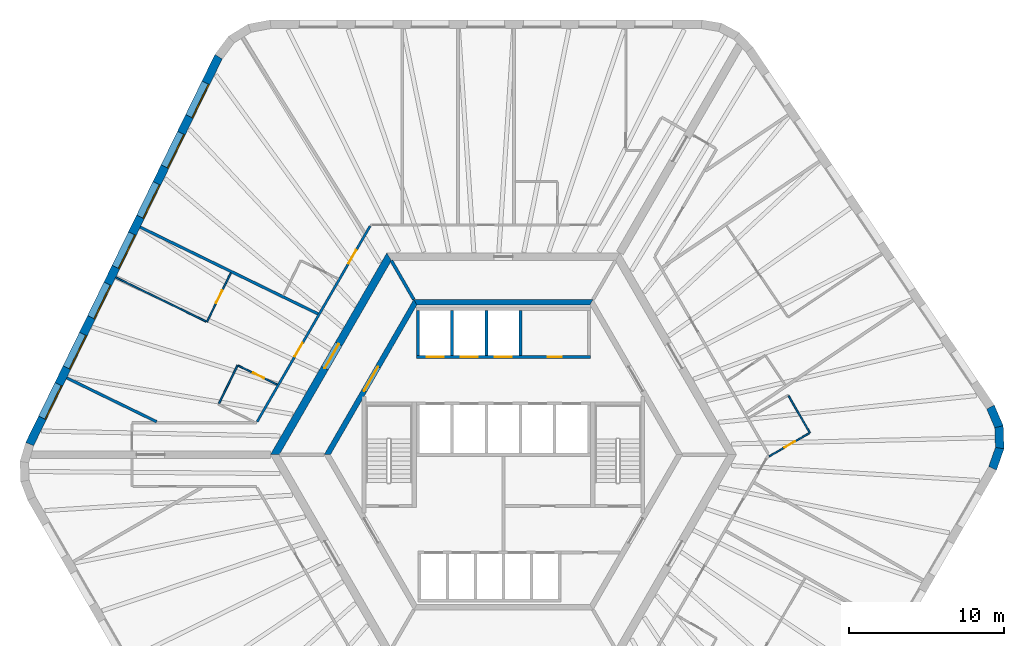
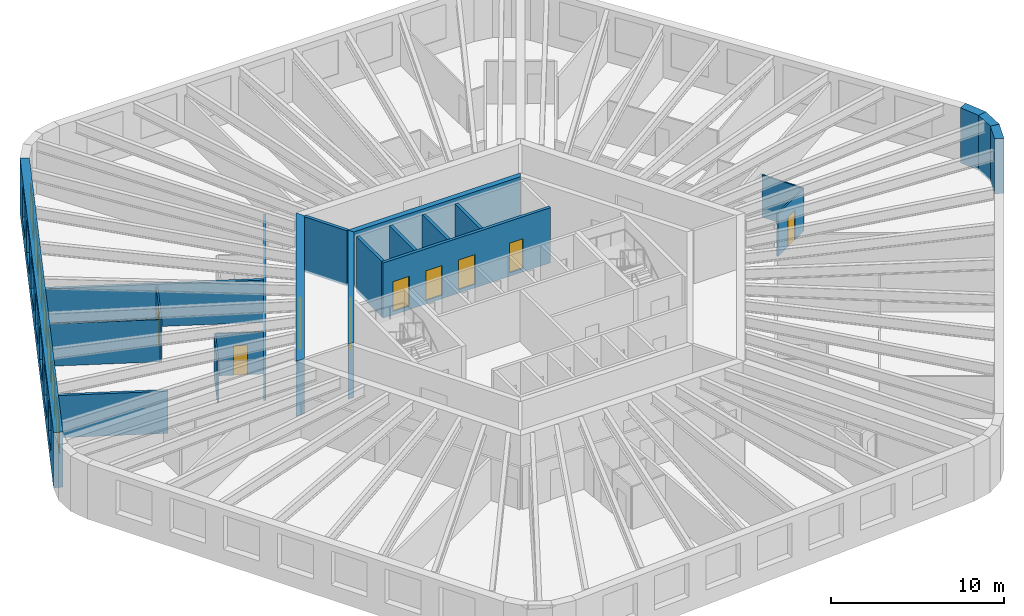
# One storey, part 6 of 9: 22 walls, 11 doors, 7 windows, 18 openings.
"""IFC4 building model written with IfcOpenShell, lengths in metres."""

from ifc_helpers import new_model, si_unit, direction, frame, frame_2d, origin, place, context, subcontext, project, spatial, polyline, rectangle, outline, extrude, material, layer, layer_set, type_object, element, fill, save


model = new_model("IFC4")

# Units and contexts
model_context = context("Model", 3, precision=1e-05, world=origin(), true_north=direction((0.0, 1.0)))
body_context = subcontext(model_context, "Body", "Model", "MODEL_VIEW")
ifc_project = project(units=[si_unit("LENGTHUNIT", "METRE"), si_unit("AREAUNIT", "SQUARE_METRE"), si_unit("VOLUMEUNIT", "CUBIC_METRE"), si_unit("PLANEANGLEUNIT", "RADIAN"), si_unit("MASSUNIT", "GRAM", prefix="KILO")], contexts=[model_context])

# Site, building, storey
site_placement = place(None, origin())
site = spatial("IfcSite", under=ifc_project, at=site_placement, CompositionType="ELEMENT")
building_placement = place(site_placement, origin())
building = spatial("IfcBuilding", under=site, at=building_placement, Name="Tarnside Tower", CompositionType="ELEMENT")
storey_placement = place(building_placement, frame((0.0, 0.0, 219.0)))
storey = spatial("IfcBuildingStorey", under=building, at=storey_placement, Name="L52", CompositionType="ELEMENT", Elevation=219.0)

# Wall
ifc_material_1 = material(Name="Gypsum board partition on steel studs", Category="steel")
ifc_layer_1 = layer(ifc_material_1, 0.10009765625)
ifc_layer_set_1 = layer_set([ifc_layer_1], Name="Bathroom wall 100")
wall_type_1 = type_object("IfcWallType", Name="Bathroom wall 100", PredefinedType="PARTITIONING", material=ifc_layer_set_1)
wall_1_placement = place(storey_placement, frame((-18.32763671875, 3.28662109375, 0.0), z_axis=(0.0, 0.0, 1.0), x_axis=(0.438385151252, 0.898787215731, 0.0)))
element("IfcWall", 1, at=wall_1_placement, inside=storey, type_object=wall_type_1, Name="Bathroom wall 17061", PredefinedType="PARTITIONING", context=body_context, shape_type="SweptSolid", body=[
    extrude(rectangle(XDim=2.75, YDim=0.10009765625, at=frame_2d((1.375, 0.0))), origin(), (0.0, 0.0, 1.0), 2.98779296875),
])

# Wall, opening, door
wall_2_placement = place(storey_placement, frame((-17.0771484375, 5.736572265625, 0.0), z_axis=(0.0, 0.0, 1.0), x_axis=(0.898777698277, -0.438404663616, 0.0)))
wall_2 = element("IfcWall", 2, at=wall_2_placement, inside=storey, type_object=wall_type_1, Name="Bathroom wall 17062", PredefinedType="PARTITIONING", context=body_context, shape_type="SweptSolid", body=[
    extrude(rectangle(XDim=2.78955078125, YDim=0.10009765625, at=frame_2d((1.394775390625, 0.0))), origin(), (0.0, 0.0, 1.0), 2.98779296875),
])
opening_1_placement = place(wall_2_placement, frame((1.050048828125, 0.0, 0.0)))
opening_1 = element("IfcOpeningElement", 3, at=opening_1_placement, cuts=wall_2, Name="Opening D-B1", PredefinedType="OPENING", context=body_context, shape_type="SweptSolid", body=[
    extrude(rectangle(XDim=0.800048828125, YDim=2.10009765625, at=frame_2d((0.39990234375, 1.050048828125))), frame((0.0, 0.06005859375, 0.0), z_axis=(0.0, -1.0, 0.0), x_axis=(1.0, 0.0, 0.0)), (0.0, 0.0, 1.0), 0.1201171875),
])
ifc_material_2 = material(Name="Timber door leaf", Category="wood")
door_type_1 = type_object("IfcDoorType", Name="Bathroom door 800", OperationType="NOTDEFINED", PredefinedType="DOOR", material=ifc_material_2)
door_1_placement = place(opening_1_placement, origin())
door_1 = element("IfcDoor", 4, at=door_1_placement, inside=storey, type_object=door_type_1, Name="Bathroom door 17010", OperationType="SINGLE_SWING_LEFT", OverallHeight=2.10009765625, OverallWidth=0.800048828125, PredefinedType="DOOR", context=body_context, shape_type="SweptSolid", body=[
    extrude(rectangle(XDim=0.800048828125, YDim=2.10009765625, at=frame_2d((0.39990234375, 1.050048828125))), frame((0.0, 0.02490234375, 0.0), z_axis=(0.0, -1.0, 0.0), x_axis=(1.0, 0.0, 0.0)), (0.0, 0.0, 1.0), 0.050048828125),
])
fill(opening_1, door_1)

# Wall
wall_3_placement = place(storey_placement, frame((18.36474609375, 3.791259765625, 0.0), z_axis=(0.0, 0.0, 1.0), x_axis=(0.499996545922, -0.866027397988, 0.0)))
element("IfcWall", 5, at=wall_3_placement, inside=storey, type_object=wall_type_1, Name="Bathroom wall 17090", PredefinedType="PARTITIONING", context=body_context, shape_type="SweptSolid", body=[
    extrude(rectangle(XDim=2.75, YDim=0.10009765625, at=frame_2d((1.375, 0.0))), origin(), (0.0, 0.0, 1.0), 2.98779296875),
])

# Wall, opening, door
wall_4_placement = place(storey_placement, frame((19.696533203125, 1.384765625, 0.0), z_axis=(0.0, 0.0, 1.0), x_axis=(-0.866036909293, -0.499980071345, 0.0)))
wall_4 = element("IfcWall", 6, at=wall_4_placement, inside=storey, type_object=wall_type_1, Name="Bathroom wall 17091", PredefinedType="PARTITIONING", context=body_context, shape_type="SweptSolid", body=[
    extrude(rectangle(XDim=2.98046875, YDim=0.10009765625, at=frame_2d((1.490234375, 0.0))), origin(), (0.0, 0.0, 1.0), 2.98779296875),
])
opening_2_placement = place(wall_4_placement, frame((1.050048828125, 0.0, 0.0)))
opening_2 = element("IfcOpeningElement", 7, at=opening_2_placement, cuts=wall_4, Name="Opening D-B1", PredefinedType="OPENING", context=body_context, shape_type="SweptSolid", body=[
    extrude(rectangle(XDim=0.800048828125, YDim=2.10009765625, at=frame_2d((0.39990234375, 1.050048828125))), frame((0.0, 0.06005859375, 0.0), z_axis=(0.0, -1.0, 0.0), x_axis=(1.0, 0.0, 0.0)), (0.0, 0.0, 1.0), 0.1201171875),
])
door_2_placement = place(opening_2_placement, origin())
door_2 = element("IfcDoor", 8, at=door_2_placement, inside=storey, type_object=door_type_1, Name="Bathroom door 17028", OperationType="SINGLE_SWING_RIGHT", OverallHeight=2.10009765625, OverallWidth=0.800048828125, PredefinedType="DOOR", context=body_context, shape_type="SweptSolid", body=[
    extrude(rectangle(XDim=0.800048828125, YDim=2.10009765625, at=frame_2d((0.39990234375, 1.050048828125))), frame((0.0, 0.02490234375, 0.0), z_axis=(0.0, -1.0, 0.0), x_axis=(1.0, 0.0, 0.0)), (0.0, 0.0, 1.0), 0.050048828125),
])
fill(opening_2, door_2)

ifc_material_3 = material(Name="Concrete C50/60", Category="concrete")
ifc_layer_2 = layer(ifc_material_3, 0.35009765625)
ifc_layer_set_2 = layer_set([ifc_layer_2], Name="Core block wall 350 C50/60")
wall_type_2 = type_object("IfcWallType", Name="Core block wall 350 C50/60", PredefinedType="SHEAR", material=ifc_layer_set_2)
wall_5_placement = place(storey_placement, frame((-5.672607421875, 9.824951171875, -0.14990234375), z_axis=(0.0, 0.0, 1.0), x_axis=(-0.499995046907, -0.866028263435, 0.0)))
wall_5 = element("IfcWall", 9, at=wall_5_placement, inside=storey, type_object=wall_type_2, Name="L52 core block wall face 2", PredefinedType="SHEAR", context=body_context, shape_type="SweptSolid", body=[
    extrude(outline(polyline([(-0.10107421875, -0.175048828125), (11.44580078125, -0.175048828125), (11.24365234375, 0.175048828125), (0.10107421875, 0.175048828125), (-0.10107421875, -0.175048828125)])), origin(), (0.0, 0.0, 1.0), 3.89990234375),
])
opening_3_placement = place(wall_5_placement, frame((4.80126953125, 0.0, 0.14990234375)))
opening_3 = element("IfcOpeningElement", 10, at=opening_3_placement, cuts=wall_5, Name="Opening CD-LOB", PredefinedType="OPENING", context=body_context, shape_type="SweptSolid", body=[
    extrude(rectangle(XDim=1.800048828125, YDim=2.39990234375, at=frame_2d((0.89990234375, 1.199951171875))), frame((0.0, 0.18505859375, 0.0), z_axis=(0.0, -1.0, 0.0), x_axis=(1.0, 0.0, 0.0)), (0.0, 0.0, 1.0), 0.3701171875),
])
ifc_material_4 = material(Name="Steel fire door", Category="steel")
door_type_2 = type_object("IfcDoorType", Name="Lobby double door FD30S 1800x2400", OperationType="NOTDEFINED", PredefinedType="DOOR", material=ifc_material_4)
door_3_placement = place(opening_3_placement, origin())
door_3 = element("IfcDoor", 11, at=door_3_placement, inside=storey, type_object=door_type_2, Name="L52 lobby block door P1", OperationType="DOUBLE_DOOR_SINGLE_SWING", OverallHeight=2.39990234375, OverallWidth=1.800048828125, PredefinedType="DOOR", context=body_context, shape_type="SweptSolid", body=[
    extrude(rectangle(XDim=1.800048828125, YDim=2.39990234375, at=frame_2d((0.89990234375, 1.199951171875))), frame((0.0, 0.02490234375, 0.0), z_axis=(0.0, -1.0, 0.0), x_axis=(1.0, 0.0, 0.0)), (0.0, 0.0, 1.0), 0.050048828125),
])
fill(opening_3, door_3)

# Wall
wall_6_placement = place(storey_placement, frame((5.672607421875, 9.824951171875, -0.14990234375), z_axis=(0.0, 0.0, 1.0), x_axis=(-1.0, 0.0, 0.0)))
element("IfcWall", 12, at=wall_6_placement, inside=storey, type_object=wall_type_2, Name="L52 core block wall face 1", PredefinedType="SHEAR", context=body_context, shape_type="SweptSolid", body=[
    extrude(outline(polyline([(-0.10107421875, -0.175048828125), (11.4462890625, -0.175048828125), (11.244140625, 0.175048828125), (0.10107421875, 0.175048828125), (-0.10107421875, -0.175048828125)])), origin(), (0.0, 0.0, 1.0), 3.89990234375),
])

# Wall, opening, door
ifc_material_5 = material(Name="Concrete C70/85", Category="concrete")
ifc_layer_3 = layer(ifc_material_5, 0.5)
ifc_layer_set_3 = layer_set([ifc_layer_3], Name="Core wall Z2 500 C70/85")
wall_type_3 = type_object("IfcWallType", Name="Core wall Z2 500 C70/85", PredefinedType="SHEAR", material=ifc_layer_set_3)
wall_7_placement = place(storey_placement, frame((-7.361083984375, 12.75, -0.14990234375), z_axis=(0.0, 0.0, 1.0), x_axis=(-0.50000571537, -0.866022103989, 0.0)))
wall_7 = element("IfcWall", 13, at=wall_7_placement, inside=storey, type_object=wall_type_3, Name="L52 core wall face 2", PredefinedType="SHEAR", context=body_context, shape_type="SweptSolid", body=[
    extrude(outline(polyline([(-0.144287109375, -0.25), (14.86669921875, -0.25), (14.578125, 0.25), (0.144287109375, 0.25), (-0.144287109375, -0.25)])), origin(), (0.0, 0.0, 1.0), 3.89990234375),
])
opening_4_placement = place(wall_7_placement, frame((6.489990234375, 0.0, 0.14990234375)))
opening_4 = element("IfcOpeningElement", 14, at=opening_4_placement, cuts=wall_7, Name="Opening CD-LOB", PredefinedType="OPENING", context=body_context, shape_type="SweptSolid", body=[
    extrude(rectangle(XDim=1.800048828125, YDim=2.39990234375, at=frame_2d((0.89990234375, 1.199951171875))), frame((0.0, 0.260009765625, 0.0), z_axis=(0.0, -1.0, 0.0), x_axis=(1.0, 0.0, 0.0)), (0.0, 0.0, 1.0), 0.52001953125),
])
door_4_placement = place(opening_4_placement, origin())
door_4 = element("IfcDoor", 15, at=door_4_placement, inside=storey, type_object=door_type_2, Name="L52 core door P1", OperationType="DOUBLE_DOOR_SINGLE_SWING", OverallHeight=2.39990234375, OverallWidth=1.800048828125, PredefinedType="DOOR", context=body_context, shape_type="SweptSolid", body=[
    extrude(rectangle(XDim=1.800048828125, YDim=2.39990234375, at=frame_2d((0.89990234375, 1.199951171875))), frame((0.0, 0.02490234375, 0.0), z_axis=(0.0, -1.0, 0.0), x_axis=(1.0, 0.0, 0.0)), (0.0, 0.0, 1.0), 0.050048828125),
])
fill(opening_4, door_4)

# Wall, openings, doors
ifc_layer_4 = layer(ifc_material_1, 0.14990234375)
ifc_layer_set_4 = layer_set([ifc_layer_4], Name="Corridor wall 150 EI 60")
wall_type_4 = type_object("IfcWallType", Name="Corridor wall 150 EI 60", PredefinedType="PARTITIONING", material=ifc_layer_set_4)
wall_8_placement = place(storey_placement, frame((-8.588134765625, 14.72509765625, 0.0), z_axis=(0.0, 0.0, 1.0), x_axis=(-0.499999403554, -0.866025748143, 0.0)))
wall_8 = element("IfcWall", 16, at=wall_8_placement, inside=storey, type_object=wall_type_4, Name="Corridor wall 17009", PredefinedType="PARTITIONING", context=body_context, shape_type="SweptSolid", body=[
    extrude(rectangle(XDim=14.54931640625, YDim=0.14990234375, at=frame_2d((7.274658203125, 0.0))), origin(), (0.0, 0.0, 1.0), 2.98779296875),
])
opening_5_placement = place(wall_8_placement, frame((1.781494140625, 0.0, 0.0)))
opening_5 = element("IfcOpeningElement", 17, at=opening_5_placement, cuts=wall_8, Name="Opening D-E1", PredefinedType="OPENING", context=body_context, shape_type="SweptSolid", body=[
    extrude(rectangle(XDim=1.0, YDim=2.10009765625, at=frame_2d((0.5, 1.050048828125))), frame((0.0, 0.0849609375, 0.0), z_axis=(0.0, -1.0, 0.0), x_axis=(1.0, 0.0, 0.0)), (0.0, 0.0, 1.0), 0.169921875),
])
opening_6_placement = place(wall_8_placement, frame((8.705322265625, 0.0, 0.0)))
opening_6 = element("IfcOpeningElement", 18, at=opening_6_placement, cuts=wall_8, Name="Opening D-E1", PredefinedType="OPENING", context=body_context, shape_type="SweptSolid", body=[
    extrude(rectangle(XDim=1.0, YDim=2.10009765625, at=frame_2d((0.5, 1.050048828125))), frame((0.0, 0.0849609375, 0.0), z_axis=(0.0, -1.0, 0.0), x_axis=(1.0, 0.0, 0.0)), (0.0, 0.0, 1.0), 0.169921875),
])
door_type_3 = type_object("IfcDoorType", Name="Unit entrance door 1000 FD30S", OperationType="NOTDEFINED", PredefinedType="DOOR", material=ifc_material_2)
door_5_placement = place(opening_5_placement, origin())
door_5 = element("IfcDoor", 19, at=door_5_placement, inside=storey, type_object=door_type_3, Name="Unit door 17007", OperationType="SINGLE_SWING_LEFT", OverallHeight=2.10009765625, OverallWidth=1.0, PredefinedType="DOOR", context=body_context, shape_type="SweptSolid", body=[
    extrude(rectangle(XDim=1.0, YDim=2.10009765625, at=frame_2d((0.5, 1.050048828125))), frame((0.0, 0.02490234375, 0.0), z_axis=(0.0, -1.0, 0.0), x_axis=(1.0, 0.0, 0.0)), (0.0, 0.0, 1.0), 0.050048828125),
])
fill(opening_5, door_5)
door_6_placement = place(opening_6_placement, origin())
door_6 = element("IfcDoor", 20, at=door_6_placement, inside=storey, type_object=door_type_3, Name="Unit door 17009", OperationType="SINGLE_SWING_RIGHT", OverallHeight=2.10009765625, OverallWidth=1.0, PredefinedType="DOOR", context=body_context, shape_type="SweptSolid", body=[
    extrude(rectangle(XDim=1.0, YDim=2.10009765625, at=frame_2d((0.5, 1.050048828125))), frame((0.0, 0.02490234375, 0.0), z_axis=(0.0, -1.0, 0.0), x_axis=(1.0, 0.0, 0.0)), (0.0, 0.0, 1.0), 0.050048828125),
])
fill(opening_6, door_6)

# Walls
ifc_layer_5 = layer(ifc_material_1, 0.179931640625)
ifc_layer_set_5 = layer_set([ifc_layer_5], Name="Demising wall 180 EI 60")
wall_type_5 = type_object("IfcWallType", Name="Demising wall 180 EI 60", PredefinedType="PARTITIONING", material=ifc_layer_set_5)
wall_9_placement = place(storey_placement, frame((-23.392822265625, 14.656005859375, 0.0), z_axis=(0.0, 0.0, 1.0), x_axis=(0.898790356386, -0.438378712152, 0.0)))
element("IfcWall", 21, at=wall_9_placement, inside=storey, type_object=wall_type_5, Name="Demising wall 17057", PredefinedType="PARTITIONING", context=body_context, shape_type="SweptSolid", body=[
    extrude(rectangle(XDim=12.742919921875, YDim=0.179931640625, at=frame_2d((6.37158203125, 0.0))), origin(), (0.0, 0.0, 1.0), 2.98779296875),
])
wall_10_placement = place(storey_placement, frame((-28.127197265625, 4.948974609375, 0.0), z_axis=(0.0, 0.0, 1.0), x_axis=(0.898795032868, -0.438369124017, 0.0)))
element("IfcWall", 22, at=wall_10_placement, inside=storey, type_object=wall_type_5, Name="Demising wall 17065", PredefinedType="PARTITIONING", context=body_context, shape_type="SweptSolid", body=[
    extrude(rectangle(XDim=6.44189453125, YDim=0.179931640625, at=frame_2d((3.220947265625, 0.0))), origin(), (0.0, 0.0, 1.0), 2.98779296875),
])

# Wall, openings, doors
ifc_material_6 = material(Name="Concrete C40/50", Category="concrete")
ifc_layer_6 = layer(ifc_material_6, 0.199951171875)
ifc_layer_set_6 = layer_set([ifc_layer_6], Name="Lift shaft wall 200 C40/50")
wall_type_6 = type_object("IfcWallType", Name="Lift shaft wall 200 C40/50", PredefinedType="SHEAR", material=ifc_layer_set_6)
wall_11_placement = place(storey_placement, frame((-5.60009765625, 6.300048828125, -0.25), z_axis=(0.0, 0.0, 1.0), x_axis=(1.0, 0.0, 0.0)))
wall_11 = element("IfcWall", 23, at=wall_11_placement, inside=storey, type_object=wall_type_6, Name="L52 lift shaft front wall R1", PredefinedType="SHEAR", context=body_context, shape_type="SweptSolid", body=[
    extrude(rectangle(XDim=11.2001953125, YDim=0.199951171875, at=frame_2d((5.60009765625, 0.0))), origin(), (0.0, 0.0, 1.0), 3.89990234375),
])
opening_7_placement = place(wall_11_placement, frame((8.449951171875, 0.0, 0.25)))
opening_7 = element("IfcOpeningElement", 24, at=opening_7_placement, cuts=wall_11, Name="Opening CD-room", PredefinedType="OPENING", context=body_context, shape_type="SweptSolid", body=[
    extrude(rectangle(XDim=0.89990234375, YDim=2.10009765625, at=frame_2d((0.449951171875, 1.050048828125))), frame((0.0, 0.10986328125, 0.0), z_axis=(0.0, -1.0, 0.0), x_axis=(1.0, 0.0, 0.0)), (0.0, 0.0, 1.0), 0.219970703125),
])
opening_8_placement = place(wall_11_placement, frame((0.64990234375, 0.0, 0.25)))
opening_8 = element("IfcOpeningElement", 25, at=opening_8_placement, cuts=wall_11, Name="Opening LD", PredefinedType="OPENING", context=body_context, shape_type="SweptSolid", body=[
    extrude(rectangle(XDim=1.10009765625, YDim=2.10009765625, at=frame_2d((0.550048828125, 1.050048828125))), frame((0.0, 0.10986328125, 0.0), z_axis=(0.0, -1.0, 0.0), x_axis=(1.0, 0.0, 0.0)), (0.0, 0.0, 1.0), 0.219970703125),
])
opening_9_placement = place(wall_11_placement, frame((2.85009765625, 0.0, 0.25)))
opening_9 = element("IfcOpeningElement", 26, at=opening_9_placement, cuts=wall_11, Name="Opening LD", PredefinedType="OPENING", context=body_context, shape_type="SweptSolid", body=[
    extrude(rectangle(XDim=1.10009765625, YDim=2.10009765625, at=frame_2d((0.550048828125, 1.050048828125))), frame((0.0, 0.10986328125, 0.0), z_axis=(0.0, -1.0, 0.0), x_axis=(1.0, 0.0, 0.0)), (0.0, 0.0, 1.0), 0.219970703125),
])
opening_10_placement = place(wall_11_placement, frame((5.050048828125, 0.0, 0.25)))
opening_10 = element("IfcOpeningElement", 27, at=opening_10_placement, cuts=wall_11, Name="Opening LD", PredefinedType="OPENING", context=body_context, shape_type="SweptSolid", body=[
    extrude(rectangle(XDim=1.10009765625, YDim=2.10009765625, at=frame_2d((0.550048828125, 1.050048828125))), frame((0.0, 0.10986328125, 0.0), z_axis=(0.0, -1.0, 0.0), x_axis=(1.0, 0.0, 0.0)), (0.0, 0.0, 1.0), 0.219970703125),
])
ifc_material_7 = material(Name="Stainless steel", Category="steel")
door_type_4 = type_object("IfcDoorType", Name="Lift landing door 1100x2100", OperationType="NOTDEFINED", PredefinedType="DOOR", material=ifc_material_7)
door_7_placement = place(opening_8_placement, origin())
door_7 = element("IfcDoor", 28, at=door_7_placement, inside=storey, type_object=door_type_4, Name="Mid-rise lift 1 landing door L52", OperationType="SLIDING_TO_LEFT", OverallHeight=2.10009765625, OverallWidth=1.10009765625, PredefinedType="DOOR", context=body_context, shape_type="SweptSolid", body=[
    extrude(rectangle(XDim=1.10009765625, YDim=2.10009765625, at=frame_2d((0.550048828125, 1.050048828125))), frame((0.0, 0.02490234375, 0.0), z_axis=(0.0, -1.0, 0.0), x_axis=(1.0, 0.0, 0.0)), (0.0, 0.0, 1.0), 0.050048828125),
])
fill(opening_8, door_7)
door_8_placement = place(opening_9_placement, origin())
door_8 = element("IfcDoor", 29, at=door_8_placement, inside=storey, type_object=door_type_4, Name="Mid-rise lift 2 landing door L52", OperationType="SLIDING_TO_LEFT", OverallHeight=2.10009765625, OverallWidth=1.10009765625, PredefinedType="DOOR", context=body_context, shape_type="SweptSolid", body=[
    extrude(rectangle(XDim=1.10009765625, YDim=2.10009765625, at=frame_2d((0.550048828125, 1.050048828125))), frame((0.0, 0.02490234375, 0.0), z_axis=(0.0, -1.0, 0.0), x_axis=(1.0, 0.0, 0.0)), (0.0, 0.0, 1.0), 0.050048828125),
])
fill(opening_9, door_8)
door_9_placement = place(opening_10_placement, origin())
door_9 = element("IfcDoor", 30, at=door_9_placement, inside=storey, type_object=door_type_4, Name="Mid-rise lift 3 landing door L52", OperationType="SLIDING_TO_LEFT", OverallHeight=2.10009765625, OverallWidth=1.10009765625, PredefinedType="DOOR", context=body_context, shape_type="SweptSolid", body=[
    extrude(rectangle(XDim=1.10009765625, YDim=2.10009765625, at=frame_2d((0.550048828125, 1.050048828125))), frame((0.0, 0.02490234375, 0.0), z_axis=(0.0, -1.0, 0.0), x_axis=(1.0, 0.0, 0.0)), (0.0, 0.0, 1.0), 0.050048828125),
])
fill(opening_10, door_9)
door_type_5 = type_object("IfcDoorType", Name="Room door FD60 900x2100", OperationType="NOTDEFINED", PredefinedType="DOOR", material=ifc_material_4)
door_10_placement = place(opening_7_placement, origin())
door_10 = element("IfcDoor", 31, at=door_10_placement, inside=storey, type_object=door_type_5, Name="L52 core room door FC1", OperationType="SINGLE_SWING_LEFT", OverallHeight=2.10009765625, OverallWidth=0.89990234375, PredefinedType="DOOR", context=body_context, shape_type="SweptSolid", body=[
    extrude(rectangle(XDim=0.89990234375, YDim=2.10009765625, at=frame_2d((0.449951171875, 1.050048828125))), frame((0.0, 0.02490234375, 0.0), z_axis=(0.0, -1.0, 0.0), x_axis=(1.0, 0.0, 0.0)), (0.0, 0.0, 1.0), 0.050048828125),
])
fill(opening_7, door_10)

# Walls
for number, where, z_axis, x_axis, name in (
    (32, (-5.5, 6.39990234375, -0.25), (0.0, 0.0, 1.0), (0.0, 1.0, 0.0), "L52 lift shaft partition R11"),
    (33, (-3.300048828125, 6.39990234375, -0.25), (0.0, 0.0, 1.0), (0.0, 1.0, 0.0), "L52 lift shaft partition R12"),
    (34, (-1.10009765625, 6.39990234375, -0.25), (0.0, 0.0, 1.0), (0.0, 1.0, 0.0), "L52 lift shaft partition R13"),
    (35, (1.10009765625, 6.39990234375, -0.25), (0.0, 0.0, 1.0), (0.0, 1.0, 0.0), "L52 lift shaft partition R14"),
):
    element("IfcWall", number, at=place(storey_placement, frame(where, z_axis=z_axis, x_axis=x_axis)), inside=storey, type_object=wall_type_6, Name=name, PredefinedType="SHEAR", context=body_context, shape_type="SweptSolid", body=[
        extrude(rectangle(XDim=2.900146484375, YDim=0.199951171875, at=frame_2d((1.4501953125, 0.0))), origin(), (0.0, 0.0, 1.0), 3.89990234375),
    ])
wall_12_placement = place(storey_placement, frame((-5.7734375, 10.0, -0.14990234375), z_axis=(0.0, 0.0, 1.0), x_axis=(-0.499995765644, 0.866027848477, 0.0)))
element("IfcWall", 36, at=wall_12_placement, inside=storey, type_object=wall_type_6, Name="L52 core partition AR120", PredefinedType="SHEAR", context=body_context, shape_type="SweptSolid", body=[
    extrude(rectangle(XDim=2.88671875, YDim=0.199951171875, at=frame_2d((1.443359375, 0.0))), origin(), (0.0, 0.0, 1.0), 3.89990234375),
])

# Wall, opening, door
ifc_layer_7 = layer(ifc_material_1, 0.10009765625)
ifc_layer_set_7 = layer_set([ifc_layer_7], Name="Partition 100")
wall_type_7 = type_object("IfcWallType", Name="Partition 100", PredefinedType="PARTITIONING", material=ifc_layer_set_7)
wall_13_placement = place(storey_placement, frame((-17.55712890625, 11.709716796875, 0.0), z_axis=(0.0, 0.0, 1.0), x_axis=(-0.438400335718, -0.898779809321, 0.0)))
wall_13 = element("IfcWall", 37, at=wall_13_placement, inside=storey, type_object=wall_type_7, Name="Partition wall 17063", PredefinedType="PARTITIONING", context=body_context, shape_type="SweptSolid", body=[
    extrude(rectangle(XDim=3.510009765625, YDim=0.10009765625, at=frame_2d((1.7548828125, 0.0))), origin(), (0.0, 0.0, 1.0), 2.98779296875),
])
opening_11_placement = place(wall_13_placement, frame((1.260009765625, 0.0, 0.0)))
opening_11 = element("IfcOpeningElement", 38, at=opening_11_placement, cuts=wall_13, Name="Opening D-I1", PredefinedType="OPENING", context=body_context, shape_type="SweptSolid", body=[
    extrude(rectangle(XDim=0.89990234375, YDim=2.10009765625, at=frame_2d((0.449951171875, 1.050048828125))), frame((0.0, 0.06005859375, 0.0), z_axis=(0.0, -1.0, 0.0), x_axis=(1.0, 0.0, 0.0)), (0.0, 0.0, 1.0), 0.1201171875),
])
door_type_6 = type_object("IfcDoorType", Name="Internal door 900", OperationType="NOTDEFINED", PredefinedType="DOOR", material=ifc_material_2)
door_11_placement = place(opening_11_placement, origin())
door_11 = element("IfcDoor", 39, at=door_11_placement, inside=storey, type_object=door_type_6, Name="Internal door 17011", OperationType="SINGLE_SWING_RIGHT", OverallHeight=2.10009765625, OverallWidth=0.89990234375, PredefinedType="DOOR", context=body_context, shape_type="SweptSolid", body=[
    extrude(rectangle(XDim=0.89990234375, YDim=2.10009765625, at=frame_2d((0.449951171875, 1.050048828125))), frame((0.0, 0.02490234375, 0.0), z_axis=(0.0, -1.0, 0.0), x_axis=(1.0, 0.0, 0.0)), (0.0, 0.0, 1.0), 0.050048828125),
])
fill(opening_11, door_11)

# Wall
wall_14_placement = place(storey_placement, frame((-19.140869140625, 8.57666015625, 0.0), z_axis=(0.0, 0.0, 1.0), x_axis=(-0.898794850282, 0.438369498377, 0.0)))
element("IfcWall", 40, at=wall_14_placement, inside=storey, type_object=wall_type_7, Name="Partition wall 17064", PredefinedType="PARTITIONING", context=body_context, shape_type="SweptSolid", body=[
    extrude(rectangle(XDim=6.486572265625, YDim=0.10009765625, at=frame_2d((3.2431640625, 0.0))), origin(), (0.0, 0.0, 1.0), 2.98779296875),
])

# Wall, openings, windows
ifc_material_8 = material(Name="Facing brick", Category="masonry")
ifc_layer_8 = layer(ifc_material_8, 0.10205078125)
ifc_material_9 = material(Name="Concrete C60/75 precast", Category="concrete")
ifc_layer_9 = layer(ifc_material_9, 0.347900390625)
ifc_material_10 = material(Name="Mineral wool insulation")
ifc_layer_10 = layer(ifc_material_10, 0.10009765625)
ifc_layer_set_8 = layer_set([ifc_layer_8, ifc_layer_9, ifc_layer_10], Name="Tube wall 550 brick faced")
wall_type_8 = type_object("IfcWallType", Name="Tube wall 550 brick faced", PredefinedType="SOLIDWALL", material=ifc_layer_set_8)
wall_15_placement = place(storey_placement, frame((-18.344970703125, 25.6328125, -0.14990234375), z_axis=(0.0, 0.0, 1.0), x_axis=(-0.43837181828, -0.898793718791, 0.0)))
wall_15 = element("IfcWall", 41, at=wall_15_placement, inside=storey, type_object=wall_type_8, Name="Tube wall L52 F2 flush 04", PredefinedType="SOLIDWALL", context=body_context, shape_type="SweptSolid", body=[
    extrude(outline(polyline([(-0.025634765625, -0.27490234375), (27.7802734375, -0.27490234375), (27.7353515625, 0.27490234375), (0.025634765625, 0.27490234375), (-0.025634765625, -0.27490234375)])), origin(), (0.0, 0.0, 1.0), 3.89990234375),
])
opening_12_placement = place(wall_15_placement, frame((1.87890625, 0.0, 1.050048828125)))
opening_12 = element("IfcOpeningElement", 42, at=opening_12_placement, cuts=wall_15, Name="Opening WH", PredefinedType="OPENING", context=body_context, shape_type="SweptSolid", body=[
    extrude(rectangle(XDim=2.39990234375, YDim=2.39990234375, at=frame_2d((1.199951171875, 1.199951171875))), frame((0.0, 0.28515625, 0.0), z_axis=(0.0, -1.0, 0.0), x_axis=(1.0, 0.0, 0.0)), (0.0, 0.0, 1.0), 0.570068359375),
])
opening_13_placement = place(wall_15_placement, frame((5.47900390625, 0.0, 1.050048828125)))
opening_13 = element("IfcOpeningElement", 43, at=opening_13_placement, cuts=wall_15, Name="Opening WH", PredefinedType="OPENING", context=body_context, shape_type="SweptSolid", body=[
    extrude(rectangle(XDim=2.39990234375, YDim=2.39990234375, at=frame_2d((1.199951171875, 1.199951171875))), frame((0.0, 0.28515625, 0.0), z_axis=(0.0, -1.0, 0.0), x_axis=(1.0, 0.0, 0.0)), (0.0, 0.0, 1.0), 0.570068359375),
])
opening_14_placement = place(wall_15_placement, frame((9.078857421875, 0.0, 1.050048828125)))
opening_14 = element("IfcOpeningElement", 44, at=opening_14_placement, cuts=wall_15, Name="Opening WH", PredefinedType="OPENING", context=body_context, shape_type="SweptSolid", body=[
    extrude(rectangle(XDim=2.39990234375, YDim=2.39990234375, at=frame_2d((1.199951171875, 1.199951171875))), frame((0.0, 0.28515625, 0.0), z_axis=(0.0, -1.0, 0.0), x_axis=(1.0, 0.0, 0.0)), (0.0, 0.0, 1.0), 0.570068359375),
])
opening_15_placement = place(wall_15_placement, frame((12.678955078125, 0.0, 1.050048828125)))
opening_15 = element("IfcOpeningElement", 45, at=opening_15_placement, cuts=wall_15, Name="Opening WH", PredefinedType="OPENING", context=body_context, shape_type="SweptSolid", body=[
    extrude(rectangle(XDim=2.39990234375, YDim=2.39990234375, at=frame_2d((1.199951171875, 1.199951171875))), frame((0.0, 0.28515625, 0.0), z_axis=(0.0, -1.0, 0.0), x_axis=(1.0, 0.0, 0.0)), (0.0, 0.0, 1.0), 0.570068359375),
])
opening_16_placement = place(wall_15_placement, frame((16.27880859375, 0.0, 1.050048828125)))
opening_16 = element("IfcOpeningElement", 46, at=opening_16_placement, cuts=wall_15, Name="Opening WH", PredefinedType="OPENING", context=body_context, shape_type="SweptSolid", body=[
    extrude(rectangle(XDim=2.39990234375, YDim=2.39990234375, at=frame_2d((1.199951171875, 1.199951171875))), frame((0.0, 0.28515625, 0.0), z_axis=(0.0, -1.0, 0.0), x_axis=(1.0, 0.0, 0.0)), (0.0, 0.0, 1.0), 0.570068359375),
])
opening_17_placement = place(wall_15_placement, frame((19.87890625, 0.0, 1.050048828125)))
opening_17 = element("IfcOpeningElement", 47, at=opening_17_placement, cuts=wall_15, Name="Opening WH", PredefinedType="OPENING", context=body_context, shape_type="SweptSolid", body=[
    extrude(rectangle(XDim=2.39990234375, YDim=2.39990234375, at=frame_2d((1.199951171875, 1.199951171875))), frame((0.0, 0.28515625, 0.0), z_axis=(0.0, -1.0, 0.0), x_axis=(1.0, 0.0, 0.0)), (0.0, 0.0, 1.0), 0.570068359375),
])
opening_18_placement = place(wall_15_placement, frame((23.47900390625, 0.0, 1.050048828125)))
opening_18 = element("IfcOpeningElement", 48, at=opening_18_placement, cuts=wall_15, Name="Opening WH", PredefinedType="OPENING", context=body_context, shape_type="SweptSolid", body=[
    extrude(rectangle(XDim=2.39990234375, YDim=2.39990234375, at=frame_2d((1.199951171875, 1.199951171875))), frame((0.0, 0.28515625, 0.0), z_axis=(0.0, -1.0, 0.0), x_axis=(1.0, 0.0, 0.0)), (0.0, 0.0, 1.0), 0.570068359375),
])
ifc_material_11 = material(Name="Aluminium-framed double glazing", Category="aluminium")
window_type = type_object("IfcWindowType", Name="Hotel window 2400 x 2400", PartitioningType="DOUBLE_PANEL_VERTICAL", PredefinedType="WINDOW", material=ifc_material_11)
window_1_placement = place(opening_12_placement, frame((0.0, 0.205078125, 0.0)))
window_1 = element("IfcWindow", 49, at=window_1_placement, inside=storey, type_object=window_type, Name="E.WN.L52.F2.00", OverallHeight=2.39990234375, OverallWidth=2.39990234375, PartitioningType="DOUBLE_PANEL_VERTICAL", PredefinedType="WINDOW", context=body_context, shape_type="SweptSolid", body=[
    extrude(rectangle(XDim=2.39990234375, YDim=2.39990234375, at=frame_2d((1.199951171875, 1.199951171875))), frame((0.0, 0.030029296875, 0.0), z_axis=(0.0, -1.0, 0.0), x_axis=(1.0, 0.0, 0.0)), (0.0, 0.0, 1.0), 0.06005859375),
])
fill(opening_12, window_1)
window_2_placement = place(opening_13_placement, frame((0.0, 0.205078125, 0.0)))
window_2 = element("IfcWindow", 50, at=window_2_placement, inside=storey, type_object=window_type, Name="E.WN.L52.F2.01", OverallHeight=2.39990234375, OverallWidth=2.39990234375, PartitioningType="DOUBLE_PANEL_VERTICAL", PredefinedType="WINDOW", context=body_context, shape_type="SweptSolid", body=[
    extrude(rectangle(XDim=2.39990234375, YDim=2.39990234375, at=frame_2d((1.199951171875, 1.199951171875))), frame((0.0, 0.030029296875, 0.0), z_axis=(0.0, -1.0, 0.0), x_axis=(1.0, 0.0, 0.0)), (0.0, 0.0, 1.0), 0.06005859375),
])
fill(opening_13, window_2)
window_3_placement = place(opening_14_placement, frame((0.0, 0.205078125, 0.0)))
window_3 = element("IfcWindow", 51, at=window_3_placement, inside=storey, type_object=window_type, Name="E.WN.L52.F2.02", OverallHeight=2.39990234375, OverallWidth=2.39990234375, PartitioningType="DOUBLE_PANEL_VERTICAL", PredefinedType="WINDOW", context=body_context, shape_type="SweptSolid", body=[
    extrude(rectangle(XDim=2.39990234375, YDim=2.39990234375, at=frame_2d((1.199951171875, 1.199951171875))), frame((0.0, 0.030029296875, 0.0), z_axis=(0.0, -1.0, 0.0), x_axis=(1.0, 0.0, 0.0)), (0.0, 0.0, 1.0), 0.06005859375),
])
fill(opening_14, window_3)
window_4_placement = place(opening_15_placement, frame((0.0, 0.205078125, 0.0)))
window_4 = element("IfcWindow", 52, at=window_4_placement, inside=storey, type_object=window_type, Name="E.WN.L52.F2.03", OverallHeight=2.39990234375, OverallWidth=2.39990234375, PartitioningType="DOUBLE_PANEL_VERTICAL", PredefinedType="WINDOW", context=body_context, shape_type="SweptSolid", body=[
    extrude(rectangle(XDim=2.39990234375, YDim=2.39990234375, at=frame_2d((1.199951171875, 1.199951171875))), frame((0.0, 0.030029296875, 0.0), z_axis=(0.0, -1.0, 0.0), x_axis=(1.0, 0.0, 0.0)), (0.0, 0.0, 1.0), 0.06005859375),
])
fill(opening_15, window_4)
window_5_placement = place(opening_16_placement, frame((0.0, 0.205078125, 0.0)))
window_5 = element("IfcWindow", 53, at=window_5_placement, inside=storey, type_object=window_type, Name="E.WN.L52.F2.04", OverallHeight=2.39990234375, OverallWidth=2.39990234375, PartitioningType="DOUBLE_PANEL_VERTICAL", PredefinedType="WINDOW", context=body_context, shape_type="SweptSolid", body=[
    extrude(rectangle(XDim=2.39990234375, YDim=2.39990234375, at=frame_2d((1.199951171875, 1.199951171875))), frame((0.0, 0.030029296875, 0.0), z_axis=(0.0, -1.0, 0.0), x_axis=(1.0, 0.0, 0.0)), (0.0, 0.0, 1.0), 0.06005859375),
])
fill(opening_16, window_5)
window_6_placement = place(opening_17_placement, frame((0.0, 0.205078125, 0.0)))
window_6 = element("IfcWindow", 54, at=window_6_placement, inside=storey, type_object=window_type, Name="E.WN.L52.F2.05", OverallHeight=2.39990234375, OverallWidth=2.39990234375, PartitioningType="DOUBLE_PANEL_VERTICAL", PredefinedType="WINDOW", context=body_context, shape_type="SweptSolid", body=[
    extrude(rectangle(XDim=2.39990234375, YDim=2.39990234375, at=frame_2d((1.199951171875, 1.199951171875))), frame((0.0, 0.030029296875, 0.0), z_axis=(0.0, -1.0, 0.0), x_axis=(1.0, 0.0, 0.0)), (0.0, 0.0, 1.0), 0.06005859375),
])
fill(opening_17, window_6)
window_7_placement = place(opening_18_placement, frame((0.0, 0.205078125, 0.0)))
window_7 = element("IfcWindow", 55, at=window_7_placement, inside=storey, type_object=window_type, Name="E.WN.L52.F2.06", OverallHeight=2.39990234375, OverallWidth=2.39990234375, PartitioningType="DOUBLE_PANEL_VERTICAL", PredefinedType="WINDOW", context=body_context, shape_type="SweptSolid", body=[
    extrude(rectangle(XDim=2.39990234375, YDim=2.39990234375, at=frame_2d((1.199951171875, 1.199951171875))), frame((0.0, 0.030029296875, 0.0), z_axis=(0.0, -1.0, 0.0), x_axis=(1.0, 0.0, 0.0)), (0.0, 0.0, 1.0), 0.06005859375),
])
fill(opening_18, window_7)

# Walls
wall_16_placement = place(storey_placement, frame((31.509033203125, -0.874755859375, -0.14990234375), z_axis=(0.0, 0.0, 1.0), x_axis=(0.33111537203, 0.943590276765, 0.0)))
element("IfcWall", 56, at=wall_16_placement, inside=storey, type_object=wall_type_8, Name="Tube wall L52 F5 chord 17", PredefinedType="SOLIDWALL", context=body_context, shape_type="SweptSolid", body=[
    extrude(outline(polyline([(-0.025634765625, -0.27490234375), (1.4306640625, -0.27490234375), (1.3271484375, 0.27490234375), (0.025634765625, 0.27490234375), (-0.025634765625, -0.27490234375)])), origin(), (0.0, 0.0, 1.0), 3.89990234375),
])
wall_17_placement = place(storey_placement, frame((31.965576171875, 0.42626953125, -0.14990234375), z_axis=(0.0, 0.0, 1.0), x_axis=(-0.034876908462, 0.999391615562, 0.0)))
element("IfcWall", 57, at=wall_17_placement, inside=storey, type_object=wall_type_8, Name="Tube wall L52 F5 chord 18", PredefinedType="SOLIDWALL", context=body_context, shape_type="SweptSolid", body=[
    extrude(outline(polyline([(-0.0517578125, -0.27490234375), (1.4306640625, -0.27490234375), (1.3271484375, 0.27490234375), (0.0517578125, 0.27490234375), (-0.0517578125, -0.27490234375)])), origin(), (0.0, 0.0, 1.0), 3.89990234375),
])
wall_18_placement = place(storey_placement, frame((31.91748046875, 1.804443359375, -0.14990234375), z_axis=(0.0, 0.0, 1.0), x_axis=(-0.396225741392, 0.918153125496, 0.0)))
element("IfcWall", 58, at=wall_18_placement, inside=storey, type_object=wall_type_8, Name="Tube wall L52 F5 chord 19", PredefinedType="SOLIDWALL", context=body_context, shape_type="SweptSolid", body=[
    extrude(outline(polyline([(-0.0517578125, -0.27490234375), (1.404541015625, -0.27490234375), (1.353271484375, 0.27490234375), (0.0517578125, 0.27490234375), (-0.0517578125, -0.27490234375)])), origin(), (0.0, 0.0, 1.0), 3.89990234375),
])

save(model, "model.ifc")
